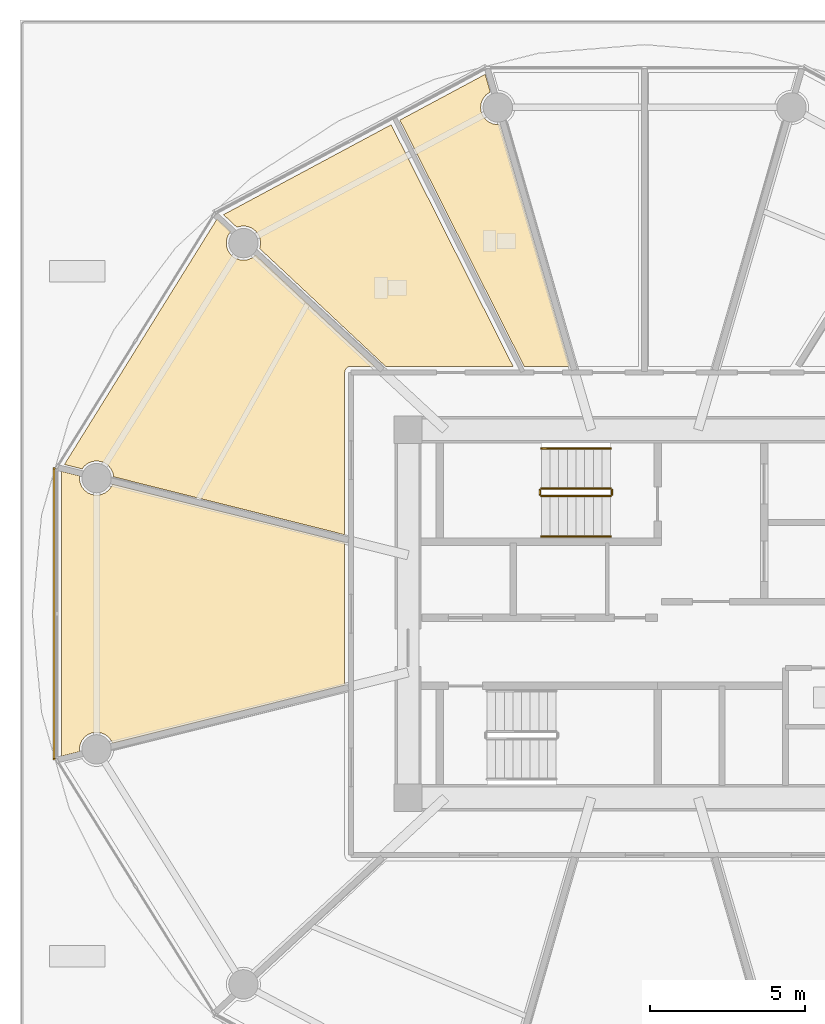
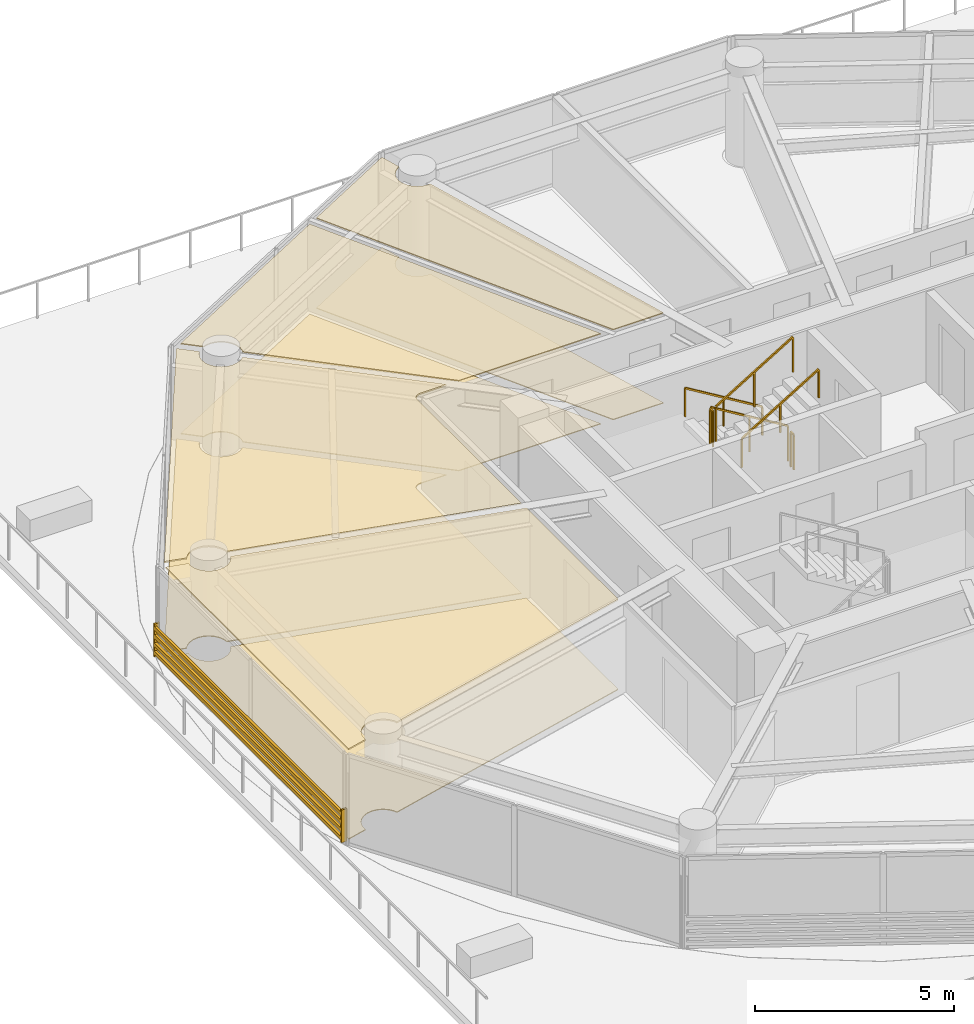
# One storey, part 23 of 32: 8 coverings, 6 railings, 1 shading device.
"""IFC4 building model written with IfcOpenShell, lengths in metres."""

from ifc_helpers import new_model, si_unit, direction, frame, origin, origin_2d, place, context, subcontext, project, spatial, polyline, rectangle, outline, extrude, source, transform, mapped, material, layer, layer_set, type_object, type_shapes, element, save


model = new_model("IFC4")

# Units and contexts
model_context = context("Model", 3, precision=1e-05, world=origin(), true_north=direction((0.0, 1.0)))
body_context = subcontext(model_context, "Body", "Model", "MODEL_VIEW")
ifc_project = project(units=[si_unit("LENGTHUNIT", "METRE"), si_unit("AREAUNIT", "SQUARE_METRE"), si_unit("VOLUMEUNIT", "CUBIC_METRE"), si_unit("PLANEANGLEUNIT", "RADIAN"), si_unit("MASSUNIT", "GRAM", prefix="KILO")], contexts=[model_context])

# Site, building, storey
site_placement = place(None, origin())
site = spatial("IfcSite", under=ifc_project, at=site_placement, CompositionType="ELEMENT")
building_placement = place(site_placement, origin())
building = spatial("IfcBuilding", under=site, at=building_placement, Name="Norrkilde Senior Care Towers", CompositionType="ELEMENT")
storey_placement = place(building_placement, frame((0.0, 0.0, 21.60009765625)))
storey = spatial("IfcBuildingStorey", under=building, at=storey_placement, Name="L05", CompositionType="ELEMENT", Elevation=21.60009765625)

# Coverings
ifc_material_1 = material(Name="Nordic Ash Timber", Category="wood")
ifc_layer_1 = layer(ifc_material_1, 0.044921875)
ifc_layer_set_1 = layer_set([ifc_layer_1], Name="Nordic Ash Timber")
covering_type_1 = type_object("IfcCoveringType", Name="Acoustic Ash Timber Slatted Ceiling 45", PredefinedType="CEILING", material=ifc_layer_set_1)
covering_1_placement = place(storey_placement, frame((0.0, 0.0, 2.744873046875)))
element("IfcCovering", 1, at=covering_1_placement, inside=storey, type_object=covering_type_1, Name="L05 Suspended Ceiling 0129", PredefinedType="CEILING", context=body_context, shape_type="SweptSolid", body=[
    extrude(outline(polyline([(-37.544677734375, 7.994873046875), (-37.552490234375, 7.992919921875), (-37.563720703125, 7.989501953125), (-37.571044921875, 7.98681640625), (-37.58203125, 7.982421875), (-37.589111328125, 7.97900390625), (-37.599365234375, 7.973388671875), (-37.606201171875, 7.969482421875), (-37.615966796875, 7.962890625), (-37.622314453125, 7.958251953125), (-37.63134765625, 7.95068359375), (-37.63720703125, 7.945556640625), (-37.6455078125, 7.937255859375), (-37.65087890625, 7.931396484375), (-37.658203125, 7.92236328125), (-37.662841796875, 7.916015625), (-37.66943359375, 7.90625), (-37.673583984375, 7.8994140625), (-37.678955078125, 7.888916015625), (-37.682373046875, 7.8818359375), (-37.68701171875, 7.87109375), (-37.689453125, 7.86376953125), (-37.69287109375, 7.852294921875), (-37.69482421875, 7.8447265625), (-37.697265625, 7.833251953125), (-37.6982421875, 7.825439453125), (-37.699462890625, 7.813720703125), (-37.699951171875, 7.805908203125), (-37.699951171875, 7.800048828125), (-37.699951171875, 2.5546875), (-45.175048828125, 4.427978515625), (-45.188720703125, 4.530517578125), (-45.244140625, 4.66455078125), (-45.332275390625, 4.779541015625), (-45.447265625, 4.86767578125), (-45.5810546875, 4.923095703125), (-45.724853515625, 4.94189453125), (-45.868408203125, 4.923095703125), (-46.002197265625, 4.86767578125), (-46.1171875, 4.779541015625), (-46.19140625, 4.6826171875), (-46.763916015625, 4.826171875), (-41.826904296875, 12.76806640625), (-41.38525390625, 12.35498046875), (-41.4560546875, 12.262939453125), (-41.511474609375, 12.129150390625), (-41.530517578125, 11.9853515625), (-41.511474609375, 11.841796875), (-41.4560546875, 11.7080078125), (-41.367919921875, 11.593017578125), (-41.2529296875, 11.5048828125), (-41.119140625, 11.449462890625), (-40.975341796875, 11.430419921875), (-40.831787109375, 11.449462890625), (-40.697998046875, 11.5048828125), (-40.5830078125, 11.593017578125), (-40.577880859375, 11.599853515625), (-36.72900390625, 8.0), (-37.5, 8.0), (-37.505859375, 7.999755859375), (-37.513671875, 7.99951171875), (-37.525390625, 7.998291015625), (-37.533203125, 7.9970703125), (-37.544677734375, 7.994873046875)])), origin(), (0.0, 0.0, 1.0), 0.044921875),
])
covering_2_placement = place(storey_placement, frame((0.0, 0.0, 2.744873046875)))
element("IfcCovering", 2, at=covering_2_placement, inside=storey, type_object=covering_type_1, Name="L05 Suspended Ceiling 0130", PredefinedType="CEILING", context=body_context, shape_type="SweptSolid", body=[
    extrude(outline(polyline([(-46.27978515625, 4.386962890625), (-46.2607421875, 4.243408203125), (-46.205322265625, 4.109375), (-46.1171875, 3.99462890625), (-46.002197265625, 3.90625), (-45.868408203125, 3.850830078125), (-45.724853515625, 3.83203125), (-45.5810546875, 3.850830078125), (-45.447265625, 3.90625), (-45.332275390625, 3.99462890625), (-45.244140625, 4.109375), (-45.2109375, 4.189697265625), (-37.699951171875, 2.30712890625), (-37.699951171875, -2.30712890625), (-45.2109375, -4.189697265625), (-45.244140625, -4.109375), (-45.332275390625, -3.99462890625), (-45.447265625, -3.90625), (-45.5810546875, -3.850830078125), (-45.724853515625, -3.83203125), (-45.868408203125, -3.850830078125), (-46.002197265625, -3.90625), (-46.1171875, -3.99462890625), (-46.205322265625, -4.109375), (-46.2607421875, -4.243408203125), (-46.27978515625, -4.386962890625), (-46.270751953125, -4.455322265625), (-46.850830078125, -4.6005859375), (-46.850830078125, 4.6005859375), (-46.270751953125, 4.455322265625), (-46.27978515625, 4.386962890625)])), origin(), (0.0, 0.0, 1.0), 0.044921875),
])
ifc_material_2 = material(Name="Gypsum Acoustic Board")
ifc_layer_2 = layer(ifc_material_2, 0.030029296875)
ifc_layer_set_2 = layer_set([ifc_layer_2], Name="Gypsum Acoustic Board")
covering_type_2 = type_object("IfcCoveringType", Name="Medical Cleanable Gypsum Ceiling 30", PredefinedType="CEILING", material=ifc_layer_set_2)
covering_3_placement = place(storey_placement, frame((0.0, 0.0, 2.760009765625)))
element("IfcCovering", 3, at=covering_3_placement, inside=storey, type_object=covering_type_2, Name="L05 Suspended Ceiling 0127", PredefinedType="CEILING", context=body_context, shape_type="SweptSolid", body=[
    extrude(outline(polyline([(-32.991455078125, 16.86767578125), (-33.02685546875, 16.85302734375), (-33.141845703125, 16.764892578125), (-33.22998046875, 16.64990234375), (-33.285400390625, 16.51611328125), (-33.304443359375, 16.37255859375), (-33.285400390625, 16.228759765625), (-33.22998046875, 16.094970703125), (-33.141845703125, 15.97998046875), (-33.02685546875, 15.891845703125), (-32.89306640625, 15.83642578125), (-32.749267578125, 15.8173828125), (-32.690673828125, 15.8251953125), (-30.432373046875, 8.0), (-31.897216796875, 8.0), (-35.915283203125, 15.9638671875), (-33.1572265625, 17.442626953125), (-32.991455078125, 16.86767578125)])), origin(), (0.0, 0.0, 1.0), 0.02978515625),
])
covering_4_placement = place(storey_placement, frame((0.0, 0.0, 2.760009765625)))
element("IfcCovering", 4, at=covering_4_placement, inside=storey, type_object=covering_type_2, Name="L05 Suspended Ceiling 0128", PredefinedType="CEILING", context=body_context, shape_type="SweptSolid", body=[
    extrude(outline(polyline([(-36.197509765625, 15.8125), (-32.255615234375, 8.0), (-36.377685546875, 8.0), (-40.4521484375, 11.810791015625), (-40.439208984375, 11.841796875), (-40.42041015625, 11.9853515625), (-40.439208984375, 12.129150390625), (-40.494873046875, 12.262939453125), (-40.5830078125, 12.3779296875), (-40.697998046875, 12.466064453125), (-40.831787109375, 12.521484375), (-40.975341796875, 12.54052734375), (-41.119140625, 12.521484375), (-41.183349609375, 12.494873046875), (-41.62109375, 12.904296875), (-36.197509765625, 15.8125)])), origin(), (0.0, 0.0, 1.0), 0.02978515625),
])
ifc_material_3 = material(Name="Slip-Resistant Porcelain Stone", Category="masonry")
ifc_layer_3 = layer(ifc_material_3, 0.02490234375)
ifc_layer_set_3 = layer_set([ifc_layer_3], Name="Slip-Resistant Porcelain Stone")
covering_type_3 = type_object("IfcCoveringType", Name="Slip-Resistant Porcelain Flooring 25", PredefinedType="FLOORING", material=ifc_layer_set_3)
covering_5_placement = place(storey_placement, origin())
element("IfcCovering", 5, at=covering_5_placement, inside=storey, type_object=covering_type_3, Name="L05 Floor Finish 0127", PredefinedType="FLOORING", context=body_context, shape_type="SweptSolid", body=[
    extrude(outline(polyline([(-32.991455078125, 16.86767578125), (-33.02685546875, 16.85302734375), (-33.141845703125, 16.764892578125), (-33.22998046875, 16.64990234375), (-33.285400390625, 16.51611328125), (-33.304443359375, 16.37255859375), (-33.285400390625, 16.228759765625), (-33.22998046875, 16.094970703125), (-33.141845703125, 15.97998046875), (-33.02685546875, 15.891845703125), (-32.89306640625, 15.83642578125), (-32.749267578125, 15.8173828125), (-32.690673828125, 15.8251953125), (-30.432373046875, 8.0), (-31.897216796875, 8.0), (-35.915283203125, 15.9638671875), (-33.1572265625, 17.442626953125), (-32.991455078125, 16.86767578125)])), origin(), (0.0, 0.0, 1.0), 0.02490234375),
])
covering_6_placement = place(storey_placement, origin())
element("IfcCovering", 6, at=covering_6_placement, inside=storey, type_object=covering_type_3, Name="L05 Floor Finish 0128", PredefinedType="FLOORING", context=body_context, shape_type="SweptSolid", body=[
    extrude(outline(polyline([(-36.197509765625, 15.8125), (-32.255615234375, 8.0), (-36.377685546875, 8.0), (-40.4521484375, 11.810791015625), (-40.439208984375, 11.841796875), (-40.42041015625, 11.9853515625), (-40.439208984375, 12.129150390625), (-40.494873046875, 12.262939453125), (-40.5830078125, 12.3779296875), (-40.697998046875, 12.466064453125), (-40.831787109375, 12.521484375), (-40.975341796875, 12.54052734375), (-41.119140625, 12.521484375), (-41.183349609375, 12.494873046875), (-41.62109375, 12.904296875), (-36.197509765625, 15.8125)])), origin(), (0.0, 0.0, 1.0), 0.02490234375),
])
covering_7_placement = place(storey_placement, origin())
element("IfcCovering", 7, at=covering_7_placement, inside=storey, type_object=covering_type_3, Name="L05 Floor Finish 0129", PredefinedType="FLOORING", context=body_context, shape_type="SweptSolid", body=[
    extrude(outline(polyline([(-37.544677734375, 7.994873046875), (-37.552490234375, 7.992919921875), (-37.563720703125, 7.989501953125), (-37.571044921875, 7.98681640625), (-37.58203125, 7.982421875), (-37.589111328125, 7.97900390625), (-37.599365234375, 7.973388671875), (-37.606201171875, 7.969482421875), (-37.615966796875, 7.962890625), (-37.622314453125, 7.958251953125), (-37.63134765625, 7.95068359375), (-37.63720703125, 7.945556640625), (-37.6455078125, 7.937255859375), (-37.65087890625, 7.931396484375), (-37.658203125, 7.92236328125), (-37.662841796875, 7.916015625), (-37.66943359375, 7.90625), (-37.673583984375, 7.8994140625), (-37.678955078125, 7.888916015625), (-37.682373046875, 7.8818359375), (-37.68701171875, 7.87109375), (-37.689453125, 7.86376953125), (-37.69287109375, 7.852294921875), (-37.69482421875, 7.8447265625), (-37.697265625, 7.833251953125), (-37.6982421875, 7.825439453125), (-37.699462890625, 7.813720703125), (-37.699951171875, 7.805908203125), (-37.699951171875, 7.800048828125), (-37.699951171875, 2.5546875), (-45.175048828125, 4.427978515625), (-45.188720703125, 4.530517578125), (-45.244140625, 4.66455078125), (-45.332275390625, 4.779541015625), (-45.447265625, 4.86767578125), (-45.5810546875, 4.923095703125), (-45.724853515625, 4.94189453125), (-45.868408203125, 4.923095703125), (-46.002197265625, 4.86767578125), (-46.1171875, 4.779541015625), (-46.19140625, 4.6826171875), (-46.763916015625, 4.826171875), (-41.826904296875, 12.76806640625), (-41.38525390625, 12.35498046875), (-41.4560546875, 12.262939453125), (-41.511474609375, 12.129150390625), (-41.530517578125, 11.9853515625), (-41.511474609375, 11.841796875), (-41.4560546875, 11.7080078125), (-41.367919921875, 11.593017578125), (-41.2529296875, 11.5048828125), (-41.119140625, 11.449462890625), (-40.975341796875, 11.430419921875), (-40.831787109375, 11.449462890625), (-40.697998046875, 11.5048828125), (-40.5830078125, 11.593017578125), (-40.577880859375, 11.599853515625), (-36.72900390625, 8.0), (-37.5, 8.0), (-37.505859375, 7.999755859375), (-37.513671875, 7.99951171875), (-37.525390625, 7.998291015625), (-37.533203125, 7.9970703125), (-37.544677734375, 7.994873046875)])), origin(), (0.0, 0.0, 1.0), 0.02490234375),
])
covering_8_placement = place(storey_placement, origin())
element("IfcCovering", 8, at=covering_8_placement, inside=storey, type_object=covering_type_3, Name="L05 Floor Finish 0130", PredefinedType="FLOORING", context=body_context, shape_type="SweptSolid", body=[
    extrude(outline(polyline([(-46.27978515625, 4.386962890625), (-46.2607421875, 4.243408203125), (-46.205322265625, 4.109375), (-46.1171875, 3.99462890625), (-46.002197265625, 3.90625), (-45.868408203125, 3.850830078125), (-45.724853515625, 3.83203125), (-45.5810546875, 3.850830078125), (-45.447265625, 3.90625), (-45.332275390625, 3.99462890625), (-45.244140625, 4.109375), (-45.2109375, 4.189697265625), (-37.699951171875, 2.30712890625), (-37.699951171875, -2.30712890625), (-45.2109375, -4.189697265625), (-45.244140625, -4.109375), (-45.332275390625, -3.99462890625), (-45.447265625, -3.90625), (-45.5810546875, -3.850830078125), (-45.724853515625, -3.83203125), (-45.868408203125, -3.850830078125), (-46.002197265625, -3.90625), (-46.1171875, -3.99462890625), (-46.205322265625, -4.109375), (-46.2607421875, -4.243408203125), (-46.27978515625, -4.386962890625), (-46.270751953125, -4.455322265625), (-46.850830078125, -4.6005859375), (-46.850830078125, 4.6005859375), (-46.270751953125, 4.455322265625), (-46.27978515625, 4.386962890625)])), origin(), (0.0, 0.0, 1.0), 0.02490234375),
])

# Railings
ifc_material_4 = material(Name="Stainless Steel", Category="steel")
railing_type_1 = type_object("IfcRailingType", Name="Stair and Terrace Guardrail 1100", PredefinedType="GUARDRAIL", material=ifc_material_4)
railing_1_placement = place(storey_placement, frame((-29.10009765625, 4.050048828125, 0.16943359375)))
element("IfcRailing", 9, at=railing_1_placement, inside=storey, type_object=railing_type_1, Name="L05 ST-W1 stair guard 1", PredefinedType="GUARDRAIL", context=body_context, shape_type="SweptSolid", body=[
    extrude(rectangle(XDim=0.048095703125, YDim=0.048095703125, at=origin_2d()), frame((0.0, 0.0, 1.076171875), z_axis=(-0.855553338991, 0.0, 0.51771467445), x_axis=(0.0, -1.0, 0.0)), (0.0, 0.0, 1.0), 2.6181640625),
    extrude(rectangle(XDim=0.0419921875, YDim=0.0419921875, at=origin_2d()), origin(), (0.0, 0.0, 1.0), 1.050048828125),
    extrude(rectangle(XDim=0.0419921875, YDim=0.0419921875, at=origin_2d()), frame((-1.1201171875, 0.0, 0.677734375)), (0.0, 0.0, 1.0), 1.050048828125),
    extrude(rectangle(XDim=0.0419921875, YDim=0.0419921875, at=origin_2d()), frame((-2.239990234375, 0.0, 1.35546875)), (0.0, 0.0, 1.0), 1.050048828125),
])
railing_2_placement = place(storey_placement, frame((-31.389892578125, 4.0, 1.52490234375)))
element("IfcRailing", 10, at=railing_2_placement, inside=storey, type_object=railing_type_1, Name="L05 ST-W1 stair guard 2", PredefinedType="GUARDRAIL", context=body_context, shape_type="SweptSolid", body=[
    extrude(rectangle(XDim=0.048095703125, YDim=0.048095703125, at=origin_2d()), frame((0.0, 0.0, 1.076171875), z_axis=(0.0, -1.0, 0.0), x_axis=(1.0, 0.0, 0.0)), (0.0, 0.0, 1.0), 0.14990234375),
    extrude(rectangle(XDim=0.0419921875, YDim=0.0419921875, at=origin_2d()), origin(), (0.0, 0.0, 1.0), 1.050048828125),
    extrude(rectangle(XDim=0.0419921875, YDim=0.0419921875, at=origin_2d()), frame((0.0, -0.14990234375, 0.0)), (0.0, 0.0, 1.0), 1.050048828125),
])
railing_3_placement = place(storey_placement, frame((-31.340087890625, 3.800048828125, 1.6943359375)))
element("IfcRailing", 11, at=railing_3_placement, inside=storey, type_object=railing_type_1, Name="L05 ST-W1 stair guard 3", PredefinedType="GUARDRAIL", context=body_context, shape_type="SweptSolid", body=[
    extrude(rectangle(XDim=0.048095703125, YDim=0.048095703125, at=origin_2d()), frame((0.0, 0.0, 1.076171875), z_axis=(0.855553338991, 0.0, 0.51771467445), x_axis=(0.0, 1.0, 0.0)), (0.0, 0.0, 1.0), 2.6181640625),
    extrude(rectangle(XDim=0.0419921875, YDim=0.0419921875, at=origin_2d()), origin(), (0.0, 0.0, 1.0), 1.050048828125),
    extrude(rectangle(XDim=0.0419921875, YDim=0.0419921875, at=origin_2d()), frame((1.1201171875, 0.0, 0.677734375)), (0.0, 0.0, 1.0), 1.050048828125),
    extrude(rectangle(XDim=0.0419921875, YDim=0.0419921875, at=origin_2d()), frame((2.239990234375, 0.0, 1.35546875)), (0.0, 0.0, 1.0), 1.050048828125),
])
railing_4_placement = place(storey_placement, frame((-29.050048828125, 4.0, 0.0)))
element("IfcRailing", 12, at=railing_4_placement, inside=storey, type_object=railing_type_1, Name="L05 ST-W1 stair guard 4", PredefinedType="GUARDRAIL", context=body_context, shape_type="SweptSolid", body=[
    extrude(rectangle(XDim=0.048095703125, YDim=0.048095703125, at=origin_2d()), frame((0.0, 0.0, 1.076171875), z_axis=(0.0, -1.0, 0.0), x_axis=(1.0, 0.0, 0.0)), (0.0, 0.0, 1.0), 0.14990234375),
    extrude(rectangle(XDim=0.0419921875, YDim=0.0419921875, at=origin_2d()), origin(), (0.0, 0.0, 1.0), 1.050048828125),
    extrude(rectangle(XDim=0.0419921875, YDim=0.0419921875, at=origin_2d()), frame((0.0, -0.14990234375, 0.0)), (0.0, 0.0, 1.0), 1.050048828125),
])
railing_type_2 = type_object("IfcRailingType", Name="Wall and Stair Handrail 900", PredefinedType="HANDRAIL", material=ifc_material_1)
railing_5_placement = place(storey_placement, frame((-29.10009765625, 5.35009765625, 0.16943359375)))
element("IfcRailing", 13, at=railing_5_placement, inside=storey, type_object=railing_type_2, Name="L05 ST-W1 stair handrail 1", PredefinedType="HANDRAIL", context=body_context, shape_type="SweptSolid", body=[
    extrude(rectangle(XDim=0.048095703125, YDim=0.048095703125, at=origin_2d()), frame((0.0, 0.0, 0.8759765625), z_axis=(-0.855553338991, 0.0, 0.51771467445), x_axis=(0.0, -1.0, 0.0)), (0.0, 0.0, 1.0), 2.6181640625),
    extrude(rectangle(XDim=0.0419921875, YDim=0.0419921875, at=origin_2d()), origin(), (0.0, 0.0, 1.0), 0.849853515625),
    extrude(rectangle(XDim=0.0419921875, YDim=0.0419921875, at=origin_2d()), frame((-1.1201171875, 0.0, 0.677734375)), (0.0, 0.0, 1.0), 0.849853515625),
    extrude(rectangle(XDim=0.0419921875, YDim=0.0419921875, at=origin_2d()), frame((-2.239990234375, 0.0, 1.35546875)), (0.0, 0.0, 1.0), 0.849853515625),
])
railing_6_placement = place(storey_placement, frame((-31.340087890625, 2.5, 1.6943359375)))
element("IfcRailing", 14, at=railing_6_placement, inside=storey, type_object=railing_type_2, Name="L05 ST-W1 stair handrail 2", PredefinedType="HANDRAIL", context=body_context, shape_type="SweptSolid", body=[
    extrude(rectangle(XDim=0.048095703125, YDim=0.048095703125, at=origin_2d()), frame((0.0, 0.0, 0.8759765625), z_axis=(0.855553338991, 0.0, 0.51771467445), x_axis=(0.0, 1.0, 0.0)), (0.0, 0.0, 1.0), 2.6181640625),
    extrude(rectangle(XDim=0.0419921875, YDim=0.0419921875, at=origin_2d()), origin(), (0.0, 0.0, 1.0), 0.849853515625),
    extrude(rectangle(XDim=0.0419921875, YDim=0.0419921875, at=origin_2d()), frame((1.1201171875, 0.0, 0.677734375)), (0.0, 0.0, 1.0), 0.849853515625),
    extrude(rectangle(XDim=0.0419921875, YDim=0.0419921875, at=origin_2d()), frame((2.239990234375, 0.0, 1.35546875)), (0.0, 0.0, 1.0), 0.849853515625),
])

# Shading device
ifc_material_5 = material(Name="Architectural Terracotta", Category="masonry")
shading_device_type = type_object("IfcShadingDeviceType", Name="Horizontal Terracotta Baguette Rack", PredefinedType="USERDEFINED", material=ifc_material_5)
shared_shape = source(origin(), body_context, "Body", "SweptSolid", [
    extrude(rectangle(XDim=0.070068359375, YDim=0.110107421875, at=origin_2d()), frame((0.0, 0.090087890625, 0.125), z_axis=(1.0, 0.0, 0.0), x_axis=(0.0, 1.0, 0.0)), (0.0, 0.0, 1.0), 9.46240234375),
    extrude(rectangle(XDim=0.070068359375, YDim=0.110107421875, at=origin_2d()), frame((0.0, 0.090087890625, 0.375), z_axis=(1.0, 0.0, 0.0), x_axis=(0.0, 1.0, 0.0)), (0.0, 0.0, 1.0), 9.46240234375),
    extrude(rectangle(XDim=0.070068359375, YDim=0.110107421875, at=origin_2d()), frame((0.0, 0.090087890625, 0.625), z_axis=(1.0, 0.0, 0.0), x_axis=(0.0, 1.0, 0.0)), (0.0, 0.0, 1.0), 9.46240234375),
    extrude(rectangle(XDim=0.070068359375, YDim=0.110107421875, at=origin_2d()), frame((0.0, 0.090087890625, 0.875), z_axis=(1.0, 0.0, 0.0), x_axis=(0.0, 1.0, 0.0)), (0.0, 0.0, 1.0), 9.46240234375),
    extrude(rectangle(XDim=0.050048828125, YDim=0.1552734375, at=origin_2d()), frame((0.02490234375, 0.047607421875, 0.0)), (0.0, 0.0, 1.0), 1.0),
    extrude(rectangle(XDim=0.050048828125, YDim=0.1552734375, at=origin_2d()), frame((9.4375, 0.047607421875, 0.0)), (0.0, 0.0, 1.0), 1.0),
])
type_shapes(shading_device_type, [shared_shape])
shading_device_placement = place(storey_placement, frame((-47.009521484375, -4.731201171875, 0.079833984375), z_axis=(0.0, 0.0, 1.0), x_axis=(0.0, 1.0, 0.0)))
element("IfcShadingDevice", 15, at=shading_device_placement, inside=storey, type_object=shading_device_type, Name="L05 Drum W Terracotta Baguette Screen 05", ObjectType="BAGUETTE", PredefinedType="USERDEFINED", context=body_context, shape_type="MappedRepresentation", body=[
    mapped(shared_shape, transform((0.0, 0.0, 0.0), x_axis=(1.0, 0.0, 0.0), y_axis=(0.0, 1.0, 0.0), z_axis=(0.0, 0.0, 1.0), scale=1.0)),
])

save(model, "model.ifc")
